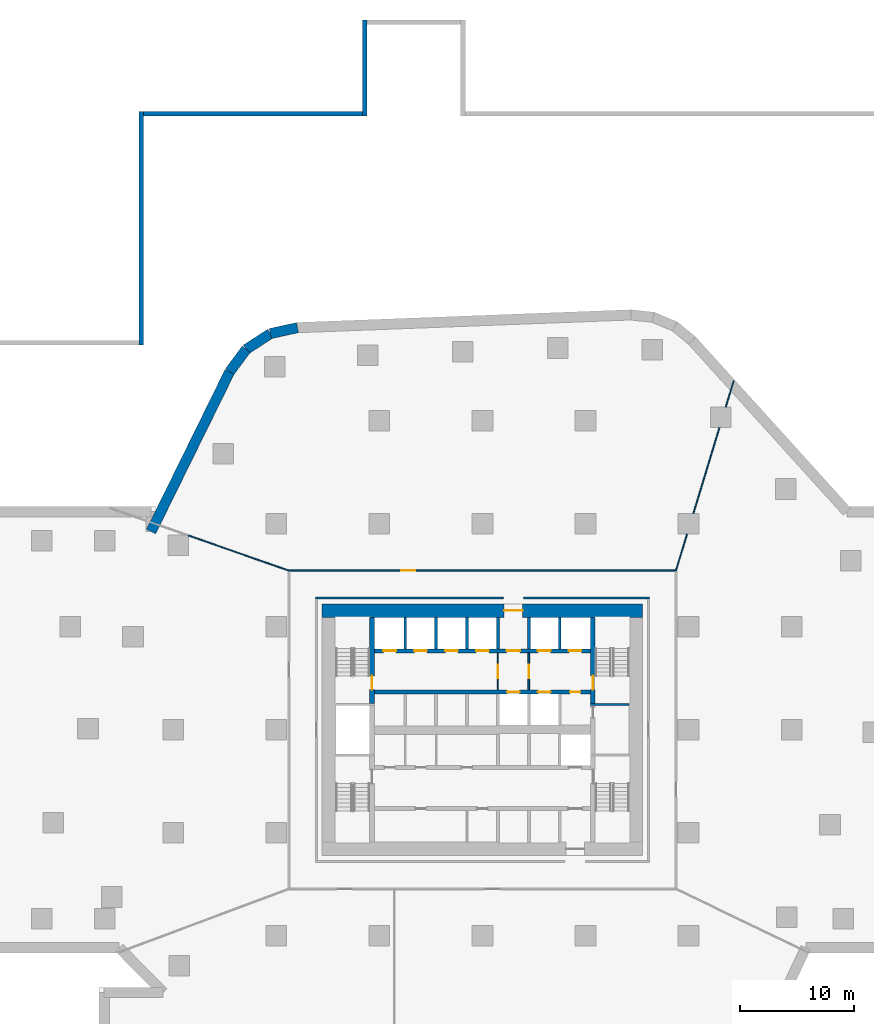
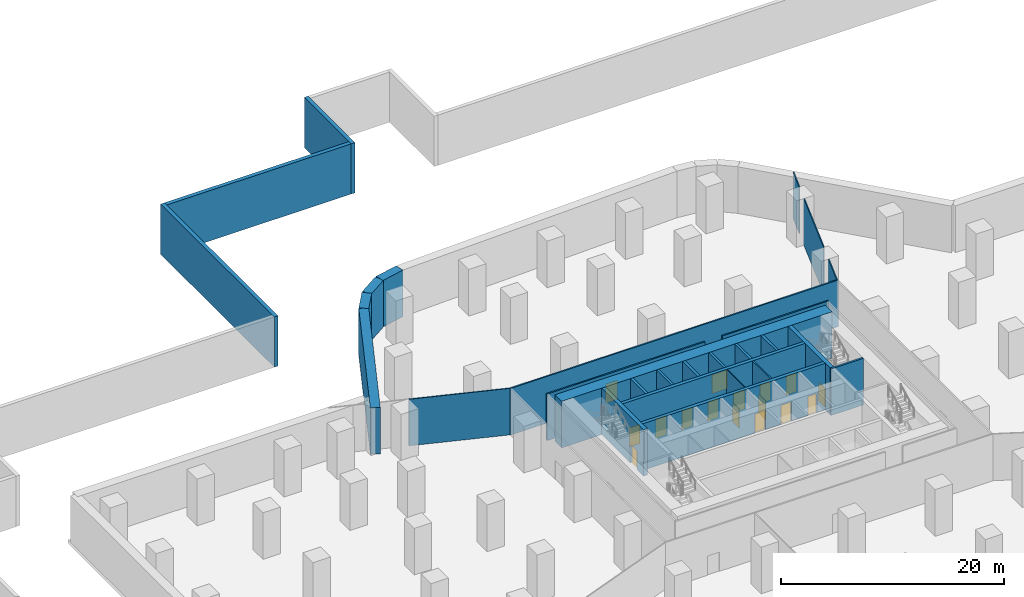
# One storey, part 6 of 9: 28 walls, 16 doors, 16 openings.
"""IFC4 building model written with IfcOpenShell, lengths in metres."""

from ifc_helpers import new_model, si_unit, direction, frame, frame_2d, origin, place, context, subcontext, project, spatial, rectangle, extrude, material, layer, layer_set, type_object, element, fill, save


model = new_model("IFC4")

# Units and contexts
model_context = context("Model", 3, precision=1e-05, world=origin(), true_north=direction((0.0, 1.0)))
body_context = subcontext(model_context, "Body", "Model", "MODEL_VIEW")
ifc_project = project(units=[si_unit("LENGTHUNIT", "METRE"), si_unit("AREAUNIT", "SQUARE_METRE"), si_unit("VOLUMEUNIT", "CUBIC_METRE"), si_unit("PLANEANGLEUNIT", "RADIAN"), si_unit("MASSUNIT", "GRAM", prefix="KILO")], contexts=[model_context])

# Site, building, storey
site_placement = place(None, origin())
site = spatial("IfcSite", under=ifc_project, at=site_placement, CompositionType="ELEMENT")
building_placement = place(site_placement, origin())
building = spatial("IfcBuilding", under=site, at=building_placement, Name="Dongbaek Canopy Tower", CompositionType="ELEMENT")
storey_placement = place(building_placement, frame((0.0, 0.0, -11.5)))
storey = spatial("IfcBuildingStorey", under=building, at=storey_placement, Name="B2", CompositionType="ELEMENT", Elevation=-11.5)

# Wall, openings, doors
ifc_material_1 = material(Name="Concrete C60/75", Category="concrete")
ifc_layer_1 = layer(ifc_material_1, 0.35009765625)
ifc_layer_set_1 = layer_set([ifc_layer_1], Name="Core lobby wall 350 Concrete C60/75")
wall_type_1 = type_object("IfcWallType", Name="Core lobby wall 350 Concrete C60/75", PredefinedType="SHEAR", material=ifc_layer_set_1)
wall_1_placement = place(storey_placement, frame((-9.449951171875, 6.89990234375, 0.0), z_axis=(0.0, 0.0, 1.0), x_axis=(1.0, 0.0, 0.0)))
wall_1 = element("IfcWall", 1, at=wall_1_placement, inside=storey, type_object=wall_type_1, Name="Core wall", PredefinedType="SHEAR", context=body_context, shape_type="SweptSolid", body=[
    extrude(rectangle(XDim=18.89990234375, YDim=0.35009765625, at=frame_2d((9.449951171875, 0.0))), origin(), (0.0, 0.0, 1.0), 5.10009765625),
])
opening_1_placement = place(wall_1_placement, frame((0.800048828125, 0.0, 0.0)))
opening_1 = element("IfcOpeningElement", 2, at=opening_1_placement, cuts=wall_1, Name="Opening B2-D009", PredefinedType="OPENING", context=body_context, shape_type="SweptSolid", body=[
    extrude(rectangle(XDim=1.10009765625, YDim=2.10009765625, at=frame_2d((0.550048828125, 1.050048828125))), frame((0.0, 0.18505859375, 0.0), z_axis=(0.0, -1.0, 0.0), x_axis=(1.0, 0.0, 0.0)), (0.0, 0.0, 1.0), 0.3701171875),
])
opening_2_placement = place(wall_1_placement, frame((3.5, 0.0, 0.0)))
opening_2 = element("IfcOpeningElement", 3, at=opening_2_placement, cuts=wall_1, Name="Opening B2-D010", PredefinedType="OPENING", context=body_context, shape_type="SweptSolid", body=[
    extrude(rectangle(XDim=1.10009765625, YDim=2.10009765625, at=frame_2d((0.550048828125, 1.050048828125))), frame((0.0, 0.18505859375, 0.0), z_axis=(0.0, -1.0, 0.0), x_axis=(1.0, 0.0, 0.0)), (0.0, 0.0, 1.0), 0.3701171875),
])
opening_3_placement = place(wall_1_placement, frame((6.199951171875, 0.0, 0.0)))
opening_3 = element("IfcOpeningElement", 4, at=opening_3_placement, cuts=wall_1, Name="Opening B2-D011", PredefinedType="OPENING", context=body_context, shape_type="SweptSolid", body=[
    extrude(rectangle(XDim=1.10009765625, YDim=2.10009765625, at=frame_2d((0.550048828125, 1.050048828125))), frame((0.0, 0.18505859375, 0.0), z_axis=(0.0, -1.0, 0.0), x_axis=(1.0, 0.0, 0.0)), (0.0, 0.0, 1.0), 0.3701171875),
])
opening_4_placement = place(wall_1_placement, frame((8.89990234375, 0.0, 0.0)))
opening_4 = element("IfcOpeningElement", 5, at=opening_4_placement, cuts=wall_1, Name="Opening B2-D012", PredefinedType="OPENING", context=body_context, shape_type="SweptSolid", body=[
    extrude(rectangle(XDim=1.10009765625, YDim=2.10009765625, at=frame_2d((0.550048828125, 1.050048828125))), frame((0.0, 0.18505859375, 0.0), z_axis=(0.0, -1.0, 0.0), x_axis=(1.0, 0.0, 0.0)), (0.0, 0.0, 1.0), 0.3701171875),
])
opening_5_placement = place(wall_1_placement, frame((11.550048828125, 0.0, 0.0)))
opening_5 = element("IfcOpeningElement", 6, at=opening_5_placement, cuts=wall_1, Name="Opening B2-D014", PredefinedType="OPENING", context=body_context, shape_type="SweptSolid", body=[
    extrude(rectangle(XDim=1.199951171875, YDim=2.10009765625, at=frame_2d((0.60009765625, 1.050048828125))), frame((0.0, 0.18505859375, 0.0), z_axis=(0.0, -1.0, 0.0), x_axis=(1.0, 0.0, 0.0)), (0.0, 0.0, 1.0), 0.3701171875),
])
opening_6_placement = place(wall_1_placement, frame((14.300048828125, 0.0, 0.0)))
opening_6 = element("IfcOpeningElement", 7, at=opening_6_placement, cuts=wall_1, Name="Opening B2-D015", PredefinedType="OPENING", context=body_context, shape_type="SweptSolid", body=[
    extrude(rectangle(XDim=1.10009765625, YDim=2.10009765625, at=frame_2d((0.550048828125, 1.050048828125))), frame((0.0, 0.18505859375, 0.0), z_axis=(0.0, -1.0, 0.0), x_axis=(1.0, 0.0, 0.0)), (0.0, 0.0, 1.0), 0.3701171875),
])
opening_7_placement = place(wall_1_placement, frame((17.0, 0.0, 0.0)))
opening_7 = element("IfcOpeningElement", 8, at=opening_7_placement, cuts=wall_1, Name="Opening B2-D016", PredefinedType="OPENING", context=body_context, shape_type="SweptSolid", body=[
    extrude(rectangle(XDim=1.10009765625, YDim=2.10009765625, at=frame_2d((0.550048828125, 1.050048828125))), frame((0.0, 0.18505859375, 0.0), z_axis=(0.0, -1.0, 0.0), x_axis=(1.0, 0.0, 0.0)), (0.0, 0.0, 1.0), 0.3701171875),
])
ifc_material_2 = material(Name="Steel", Category="steel")
door_type_1 = type_object("IfcDoorType", Name="Fire lobby door 1200 x 2100", OperationType="SINGLE_SWING_LEFT", PredefinedType="DOOR", material=ifc_material_2)
door_1_placement = place(opening_5_placement, origin())
door_1 = element("IfcDoor", 9, at=door_1_placement, inside=storey, type_object=door_type_1, Name="Door B2-D014", OperationType="SINGLE_SWING_LEFT", OverallHeight=2.10009765625, OverallWidth=1.199951171875, PredefinedType="DOOR", context=body_context, shape_type="SweptSolid", body=[
    extrude(rectangle(XDim=1.199951171875, YDim=2.10009765625, at=frame_2d((0.60009765625, 1.050048828125))), frame((0.0, 0.02490234375, 0.0), z_axis=(0.0, -1.0, 0.0), x_axis=(1.0, 0.0, 0.0)), (0.0, 0.0, 1.0), 0.050048828125),
])
fill(opening_5, door_1)
ifc_material_3 = material(Name="Stainless steel", Category="steel")
door_type_2 = type_object("IfcDoorType", Name="Lift landing door 1100 x 2100", OperationType="DOUBLE_DOOR_SLIDING", PredefinedType="DOOR", material=ifc_material_3)
door_2_placement = place(opening_1_placement, origin())
door_2 = element("IfcDoor", 10, at=door_2_placement, inside=storey, type_object=door_type_2, Name="Landing door LR1", OperationType="DOUBLE_DOOR_SLIDING", OverallHeight=2.10009765625, OverallWidth=1.10009765625, PredefinedType="DOOR", context=body_context, shape_type="SweptSolid", body=[
    extrude(rectangle(XDim=1.10009765625, YDim=2.10009765625, at=frame_2d((0.550048828125, 1.050048828125))), frame((0.0, 0.02490234375, 0.0), z_axis=(0.0, -1.0, 0.0), x_axis=(1.0, 0.0, 0.0)), (0.0, 0.0, 1.0), 0.050048828125),
])
fill(opening_1, door_2)
door_3_placement = place(opening_2_placement, origin())
door_3 = element("IfcDoor", 11, at=door_3_placement, inside=storey, type_object=door_type_2, Name="Landing door LR2", OperationType="DOUBLE_DOOR_SLIDING", OverallHeight=2.10009765625, OverallWidth=1.10009765625, PredefinedType="DOOR", context=body_context, shape_type="SweptSolid", body=[
    extrude(rectangle(XDim=1.10009765625, YDim=2.10009765625, at=frame_2d((0.550048828125, 1.050048828125))), frame((0.0, 0.02490234375, 0.0), z_axis=(0.0, -1.0, 0.0), x_axis=(1.0, 0.0, 0.0)), (0.0, 0.0, 1.0), 0.050048828125),
])
fill(opening_2, door_3)
door_4_placement = place(opening_3_placement, origin())
door_4 = element("IfcDoor", 12, at=door_4_placement, inside=storey, type_object=door_type_2, Name="Landing door LR3", OperationType="DOUBLE_DOOR_SLIDING", OverallHeight=2.10009765625, OverallWidth=1.10009765625, PredefinedType="DOOR", context=body_context, shape_type="SweptSolid", body=[
    extrude(rectangle(XDim=1.10009765625, YDim=2.10009765625, at=frame_2d((0.550048828125, 1.050048828125))), frame((0.0, 0.02490234375, 0.0), z_axis=(0.0, -1.0, 0.0), x_axis=(1.0, 0.0, 0.0)), (0.0, 0.0, 1.0), 0.050048828125),
])
fill(opening_3, door_4)
door_5_placement = place(opening_4_placement, origin())
door_5 = element("IfcDoor", 13, at=door_5_placement, inside=storey, type_object=door_type_2, Name="Landing door LR4", OperationType="DOUBLE_DOOR_SLIDING", OverallHeight=2.10009765625, OverallWidth=1.10009765625, PredefinedType="DOOR", context=body_context, shape_type="SweptSolid", body=[
    extrude(rectangle(XDim=1.10009765625, YDim=2.10009765625, at=frame_2d((0.550048828125, 1.050048828125))), frame((0.0, 0.02490234375, 0.0), z_axis=(0.0, -1.0, 0.0), x_axis=(1.0, 0.0, 0.0)), (0.0, 0.0, 1.0), 0.050048828125),
])
fill(opening_4, door_5)
door_6_placement = place(opening_6_placement, origin())
door_6 = element("IfcDoor", 14, at=door_6_placement, inside=storey, type_object=door_type_2, Name="Landing door FF1", OperationType="DOUBLE_DOOR_SLIDING", OverallHeight=2.10009765625, OverallWidth=1.10009765625, PredefinedType="DOOR", context=body_context, shape_type="SweptSolid", body=[
    extrude(rectangle(XDim=1.10009765625, YDim=2.10009765625, at=frame_2d((0.550048828125, 1.050048828125))), frame((0.0, 0.02490234375, 0.0), z_axis=(0.0, -1.0, 0.0), x_axis=(1.0, 0.0, 0.0)), (0.0, 0.0, 1.0), 0.050048828125),
])
fill(opening_6, door_6)
door_7_placement = place(opening_7_placement, origin())
door_7 = element("IfcDoor", 15, at=door_7_placement, inside=storey, type_object=door_type_2, Name="Landing door FF2", OperationType="DOUBLE_DOOR_SLIDING", OverallHeight=2.10009765625, OverallWidth=1.10009765625, PredefinedType="DOOR", context=body_context, shape_type="SweptSolid", body=[
    extrude(rectangle(XDim=1.10009765625, YDim=2.10009765625, at=frame_2d((0.550048828125, 1.050048828125))), frame((0.0, 0.02490234375, 0.0), z_axis=(0.0, -1.0, 0.0), x_axis=(1.0, 0.0, 0.0)), (0.0, 0.0, 1.0), 0.050048828125),
])
fill(opening_7, door_7)

wall_2_placement = place(storey_placement, frame((9.449951171875, 3.300048828125, 0.0), z_axis=(0.0, 0.0, 1.0), x_axis=(-1.0, 0.0, 0.0)))
wall_2 = element("IfcWall", 16, at=wall_2_placement, inside=storey, type_object=wall_type_1, Name="Core wall", PredefinedType="SHEAR", context=body_context, shape_type="SweptSolid", body=[
    extrude(rectangle(XDim=18.89990234375, YDim=0.35009765625, at=frame_2d((9.449951171875, 0.0))), origin(), (0.0, 0.0, 1.0), 5.10009765625),
])
opening_8_placement = place(wall_2_placement, frame((6.199951171875, 0.0, 0.0)))
opening_8 = element("IfcOpeningElement", 17, at=opening_8_placement, cuts=wall_2, Name="Opening B2-D017", PredefinedType="OPENING", context=body_context, shape_type="SweptSolid", body=[
    extrude(rectangle(XDim=1.10009765625, YDim=2.10009765625, at=frame_2d((0.550048828125, 1.050048828125))), frame((0.0, 0.18505859375, 0.0), z_axis=(0.0, -1.0, 0.0), x_axis=(1.0, 0.0, 0.0)), (0.0, 0.0, 1.0), 0.3701171875),
])
opening_9_placement = place(wall_2_placement, frame((3.5, 0.0, 0.0)))
opening_9 = element("IfcOpeningElement", 18, at=opening_9_placement, cuts=wall_2, Name="Opening B2-D018", PredefinedType="OPENING", context=body_context, shape_type="SweptSolid", body=[
    extrude(rectangle(XDim=1.10009765625, YDim=2.10009765625, at=frame_2d((0.550048828125, 1.050048828125))), frame((0.0, 0.18505859375, 0.0), z_axis=(0.0, -1.0, 0.0), x_axis=(1.0, 0.0, 0.0)), (0.0, 0.0, 1.0), 0.3701171875),
])
opening_10_placement = place(wall_2_placement, frame((0.89990234375, 0.0, 0.0)))
opening_10 = element("IfcOpeningElement", 19, at=opening_10_placement, cuts=wall_2, Name="Opening B2-D019", PredefinedType="OPENING", context=body_context, shape_type="SweptSolid", body=[
    extrude(rectangle(XDim=0.89990234375, YDim=2.10009765625, at=frame_2d((0.449951171875, 1.050048828125))), frame((0.0, 0.18505859375, 0.0), z_axis=(0.0, -1.0, 0.0), x_axis=(1.0, 0.0, 0.0)), (0.0, 0.0, 1.0), 0.3701171875),
])
ifc_material_4 = material(Name="Steel", Category="steel")
door_type_3 = type_object("IfcDoorType", Name="Core room door 900 x 2100", OperationType="SINGLE_SWING_LEFT", PredefinedType="DOOR", material=ifc_material_4)
door_8_placement = place(opening_10_placement, origin())
door_8 = element("IfcDoor", 20, at=door_8_placement, inside=storey, type_object=door_type_3, Name="Door B2-D019", OperationType="SINGLE_SWING_LEFT", OverallHeight=2.10009765625, OverallWidth=0.89990234375, PredefinedType="DOOR", context=body_context, shape_type="SweptSolid", body=[
    extrude(rectangle(XDim=0.89990234375, YDim=2.10009765625, at=frame_2d((0.449951171875, 1.050048828125))), frame((0.0, 0.02490234375, 0.0), z_axis=(0.0, -1.0, 0.0), x_axis=(1.0, 0.0, 0.0)), (0.0, 0.0, 1.0), 0.050048828125),
])
fill(opening_10, door_8)
door_9_placement = place(opening_8_placement, origin())
door_9 = element("IfcDoor", 21, at=door_9_placement, inside=storey, type_object=door_type_2, Name="Landing door SV1", OperationType="DOUBLE_DOOR_SLIDING", OverallHeight=2.10009765625, OverallWidth=1.10009765625, PredefinedType="DOOR", context=body_context, shape_type="SweptSolid", body=[
    extrude(rectangle(XDim=1.10009765625, YDim=2.10009765625, at=frame_2d((0.550048828125, 1.050048828125))), frame((0.0, 0.02490234375, 0.0), z_axis=(0.0, -1.0, 0.0), x_axis=(1.0, 0.0, 0.0)), (0.0, 0.0, 1.0), 0.050048828125),
])
fill(opening_8, door_9)
door_10_placement = place(opening_9_placement, origin())
door_10 = element("IfcDoor", 22, at=door_10_placement, inside=storey, type_object=door_type_2, Name="Landing door FF3", OperationType="DOUBLE_DOOR_SLIDING", OverallHeight=2.10009765625, OverallWidth=1.10009765625, PredefinedType="DOOR", context=body_context, shape_type="SweptSolid", body=[
    extrude(rectangle(XDim=1.10009765625, YDim=2.10009765625, at=frame_2d((0.550048828125, 1.050048828125))), frame((0.0, 0.02490234375, 0.0), z_axis=(0.0, -1.0, 0.0), x_axis=(1.0, 0.0, 0.0)), (0.0, 0.0, 1.0), 0.050048828125),
])
fill(opening_9, door_10)

# Wall, opening, door
ifc_material_5 = material(Name="Concrete C60/75", Category="concrete")
ifc_layer_2 = layer(ifc_material_5, 1.199951171875)
ifc_layer_set_2 = layer_set([ifc_layer_2], Name="Core outer wall 1200 Concrete C60/75")
wall_type_2 = type_object("IfcWallType", Name="Core outer wall 1200 Concrete C60/75", PredefinedType="SHEAR", material=ifc_layer_set_2)
wall_3_placement = place(storey_placement, frame((-14.0, 10.39990234375, 0.0), z_axis=(0.0, 0.0, 1.0), x_axis=(1.0, 0.0, 0.0)))
wall_3 = element("IfcWall", 23, at=wall_3_placement, inside=storey, type_object=wall_type_2, Name="Core wall", PredefinedType="SHEAR", context=body_context, shape_type="SweptSolid", body=[
    extrude(rectangle(XDim=28.0, YDim=1.199951171875, at=frame_2d((14.0, 0.0))), origin(), (0.0, 0.0, 1.0), 5.10009765625),
])
opening_11_placement = place(wall_3_placement, frame((15.89990234375, 0.0, 0.0)))
opening_11 = element("IfcOpeningElement", 24, at=opening_11_placement, cuts=wall_3, Name="Opening B2-D013", PredefinedType="OPENING", context=body_context, shape_type="SweptSolid", body=[
    extrude(rectangle(XDim=1.60009765625, YDim=2.10009765625, at=frame_2d((0.800048828125, 1.050048828125))), frame((0.0, 0.60986328125, 0.0), z_axis=(0.0, -1.0, 0.0), x_axis=(1.0, 0.0, 0.0)), (0.0, 0.0, 1.0), 1.219970703125),
])
ifc_material_6 = material(Name="Steel", Category="steel")
door_type_4 = type_object("IfcDoorType", Name="Core exit door 1600 x 2100", OperationType="DOUBLE_DOOR_SINGLE_SWING", PredefinedType="DOOR", material=ifc_material_6)
door_11_placement = place(opening_11_placement, origin())
door_11 = element("IfcDoor", 25, at=door_11_placement, inside=storey, type_object=door_type_4, Name="Core exit door", OperationType="DOUBLE_DOOR_SINGLE_SWING", OverallHeight=2.10009765625, OverallWidth=1.60009765625, PredefinedType="DOOR", context=body_context, shape_type="SweptSolid", body=[
    extrude(rectangle(XDim=1.60009765625, YDim=2.10009765625, at=frame_2d((0.800048828125, 1.050048828125))), frame((0.0, 0.02490234375, 0.0), z_axis=(0.0, -1.0, 0.0), x_axis=(1.0, 0.0, 0.0)), (0.0, 0.0, 1.0), 0.050048828125),
])
fill(opening_11, door_11)

# Walls
ifc_material_7 = material(Name="Gypsum board partition, steel stud, 2 x 15 mm fire board", Category="steel")
ifc_layer_3 = layer(ifc_material_7, 0.14990234375)
ifc_layer_set_3 = layer_set([ifc_layer_3], Name="Fire-rated partition 150 gypsum board")
wall_type_3 = type_object("IfcWallType", Name="Fire-rated partition 150 gypsum board", PredefinedType="PARTITIONING", material=ifc_layer_set_3)
wall_4_placement = place(storey_placement, frame((-14.574951171875, 11.5, 0.0), z_axis=(0.0, 0.0, 1.0), x_axis=(1.0, 0.0, 0.0)))
element("IfcWall", 26, at=wall_4_placement, inside=storey, type_object=wall_type_3, Name="Corridor partition", PredefinedType="PARTITIONING", context=body_context, shape_type="SweptSolid", body=[
    extrude(rectangle(XDim=16.375, YDim=0.14990234375, at=frame_2d((8.1875, 0.0))), origin(), (0.0, 0.0, 1.0), 5.10009765625),
])
wall_5_placement = place(storey_placement, frame((3.60009765625, 11.5, 0.0), z_axis=(0.0, 0.0, 1.0), x_axis=(1.0, 0.0, 0.0)))
element("IfcWall", 27, at=wall_5_placement, inside=storey, type_object=wall_type_3, Name="Corridor partition", PredefinedType="PARTITIONING", context=body_context, shape_type="SweptSolid", body=[
    extrude(rectangle(XDim=10.974853515625, YDim=0.14990234375, at=frame_2d((5.4873046875, 0.0))), origin(), (0.0, 0.0, 1.0), 5.10009765625),
])

# Wall, opening, door
wall_6_placement = place(storey_placement, frame((-16.97509765625, 13.89990234375, 0.0), z_axis=(0.0, 0.0, 1.0), x_axis=(1.0, 0.0, 0.0)))
wall_6 = element("IfcWall", 28, at=wall_6_placement, inside=storey, type_object=wall_type_3, Name="Corridor partition", PredefinedType="PARTITIONING", context=body_context, shape_type="SweptSolid", body=[
    extrude(rectangle(XDim=33.9501953125, YDim=0.14990234375, at=frame_2d((16.97509765625, 0.0))), origin(), (0.0, 0.0, 1.0), 5.10009765625),
])
opening_12_placement = place(wall_6_placement, frame((9.887451171875, 0.0, 0.0)))
opening_12 = element("IfcOpeningElement", 29, at=opening_12_placement, cuts=wall_6, Name="Opening B2-D005", PredefinedType="OPENING", context=body_context, shape_type="SweptSolid", body=[
    extrude(rectangle(XDim=1.199951171875, YDim=2.10009765625, at=frame_2d((0.60009765625, 1.050048828125))), frame((0.0, 0.0849609375, 0.0), z_axis=(0.0, -1.0, 0.0), x_axis=(1.0, 0.0, 0.0)), (0.0, 0.0, 1.0), 0.169921875),
])
ifc_material_8 = material(Name="Timber veneered door leaf", Category="wood")
door_type_5 = type_object("IfcDoorType", Name="Room door 1200 x 2100", OperationType="SINGLE_SWING_LEFT", PredefinedType="DOOR", material=ifc_material_8)
door_12_placement = place(opening_12_placement, origin())
door_12 = element("IfcDoor", 30, at=door_12_placement, inside=storey, type_object=door_type_5, Name="Door B2-D005", OperationType="SINGLE_SWING_RIGHT", OverallHeight=2.10009765625, OverallWidth=1.199951171875, PredefinedType="DOOR", context=body_context, shape_type="SweptSolid", body=[
    extrude(rectangle(XDim=1.199951171875, YDim=2.10009765625, at=frame_2d((0.60009765625, 1.050048828125))), frame((0.0, 0.02490234375, 0.0), z_axis=(0.0, -1.0, 0.0), x_axis=(1.0, 0.0, 0.0)), (0.0, 0.0, 1.0), 0.050048828125),
])
fill(opening_12, door_12)

wall_7_placement = place(storey_placement, frame((4.050048828125, 6.72509765625, 0.0), z_axis=(0.0, 0.0, 1.0), x_axis=(0.0, -1.0, 0.0)))
wall_7 = element("IfcWall", 31, at=wall_7_placement, inside=storey, type_object=wall_type_3, Name="Fire lobby partition", PredefinedType="PARTITIONING", context=body_context, shape_type="SweptSolid", body=[
    extrude(rectangle(XDim=3.25, YDim=0.14990234375, at=frame_2d((1.625, 0.0))), origin(), (0.0, 0.0, 1.0), 5.10009765625),
])
opening_13_placement = place(wall_7_placement, frame((1.02490234375, 0.0, 0.0)))
opening_13 = element("IfcOpeningElement", 32, at=opening_13_placement, cuts=wall_7, Name="Opening B2-D033", PredefinedType="OPENING", context=body_context, shape_type="SweptSolid", body=[
    extrude(rectangle(XDim=1.199951171875, YDim=2.10009765625, at=frame_2d((0.60009765625, 1.050048828125))), frame((0.0, 0.0849609375, 0.0), z_axis=(0.0, -1.0, 0.0), x_axis=(1.0, 0.0, 0.0)), (0.0, 0.0, 1.0), 0.169921875),
])
door_13_placement = place(opening_13_placement, origin())
door_13 = element("IfcDoor", 33, at=door_13_placement, inside=storey, type_object=door_type_1, Name="Door B2-D033", OperationType="SINGLE_SWING_RIGHT", OverallHeight=2.10009765625, OverallWidth=1.199951171875, PredefinedType="DOOR", context=body_context, shape_type="SweptSolid", body=[
    extrude(rectangle(XDim=1.199951171875, YDim=2.10009765625, at=frame_2d((0.60009765625, 1.050048828125))), frame((0.0, 0.02490234375, 0.0), z_axis=(0.0, -1.0, 0.0), x_axis=(1.0, 0.0, 0.0)), (0.0, 0.0, 1.0), 0.050048828125),
])
fill(opening_13, door_13)

# Walls
ifc_material_9 = material(Name="Concrete C40/50", Category="concrete")
ifc_layer_4 = layer(ifc_material_9, 0.25)
ifc_layer_set_4 = layer_set([ifc_layer_4], Name="Lift shaft wall 250 Concrete C40/50")
wall_type_4 = type_object("IfcWallType", Name="Lift shaft wall 250 Concrete C40/50", PredefinedType="SOLIDWALL", material=ifc_layer_set_4)
for number, where, z_axis, x_axis, name in (
    (34, (6.75, 7.074951171875, 0.0), (0.0, 0.0, 1.0), (0.0, 1.0, 0.0), "Lift shaft wall"),
    (35, (4.050048828125, 7.074951171875, 0.0), (0.0, 0.0, 1.0), (0.0, 1.0, 0.0), "Lift shaft wall"),
    (36, (1.35009765625, 7.074951171875, 0.0), (0.0, 0.0, 1.0), (0.0, 1.0, 0.0), "Lift shaft wall"),
    (37, (-1.35009765625, 7.074951171875, 0.0), (0.0, 0.0, 1.0), (0.0, 1.0, 0.0), "Lift shaft wall"),
    (38, (-4.050048828125, 7.074951171875, 0.0), (0.0, 0.0, 1.0), (0.0, 1.0, 0.0), "Lift shaft wall"),
    (39, (-6.75, 7.074951171875, 0.0), (0.0, 0.0, 1.0), (0.0, 1.0, 0.0), "Lift shaft wall"),
):
    element("IfcWall", number, at=place(storey_placement, frame(where, z_axis=z_axis, x_axis=x_axis)), inside=storey, type_object=wall_type_4, Name=name, PredefinedType="SOLIDWALL", context=body_context, shape_type="SweptSolid", body=[
        extrude(rectangle(XDim=2.72509765625, YDim=0.25, at=frame_2d((1.362548828125, 0.0))), origin(), (0.0, 0.0, 1.0), 5.10009765625),
    ])
ifc_material_10 = material(Name="Gypsum board partition, steel stud, 2 x 12.5 mm board", Category="steel")
ifc_layer_5 = layer(ifc_material_10, 0.10009765625)
ifc_layer_set_5 = layer_set([ifc_layer_5], Name="Partition 100 gypsum board")
wall_type_5 = type_object("IfcWallType", Name="Partition 100 gypsum board", PredefinedType="PARTITIONING", material=ifc_layer_set_5)
wall_8_placement = place(storey_placement, frame((16.900146484375, 13.89990234375, 0.0), z_axis=(0.0, 0.0, 1.0), x_axis=(0.291202273884, 0.95666150528, 0.0)))
element("IfcWall", 40, at=wall_8_placement, inside=storey, type_object=wall_type_5, Name="Partition", PredefinedType="PARTITIONING", context=body_context, shape_type="SweptSolid", body=[
    extrude(rectangle(XDim=3.34521484375, YDim=0.10009765625, at=frame_2d((1.672607421875, 0.0))), origin(), (0.0, 0.0, 1.0), 5.10009765625),
])
wall_9_placement = place(storey_placement, frame((18.422119140625, 18.89990234375, 0.0), z_axis=(0.0, 0.0, 1.0), x_axis=(0.291192607523, 0.956664447611, 0.0)))
element("IfcWall", 41, at=wall_9_placement, inside=storey, type_object=wall_type_5, Name="Partition", PredefinedType="PARTITIONING", context=body_context, shape_type="SweptSolid", body=[
    extrude(rectangle(XDim=7.836669921875, YDim=0.10009765625, at=frame_2d((3.91845703125, 0.0))), origin(), (0.0, 0.0, 1.0), 5.10009765625),
])
wall_10_placement = place(storey_placement, frame((21.252197265625, 28.197021484375, 0.0), z_axis=(0.0, 0.0, 1.0), x_axis=(0.291210561393, 0.956658982571, 0.0)))
element("IfcWall", 42, at=wall_10_placement, inside=storey, type_object=wall_type_5, Name="Partition", PredefinedType="PARTITIONING", context=body_context, shape_type="SweptSolid", body=[
    extrude(rectangle(XDim=2.3818359375, YDim=0.10009765625, at=frame_2d((1.19091796875, 0.0))), origin(), (0.0, 0.0, 1.0), 5.10009765625),
])
wall_11_placement = place(storey_placement, frame((-25.68603515625, 16.969482421875, 0.0), z_axis=(0.0, 0.0, 1.0), x_axis=(0.944025503462, -0.329872473561, 0.0)))
element("IfcWall", 43, at=wall_11_placement, inside=storey, type_object=wall_type_5, Name="Partition", PredefinedType="PARTITIONING", context=body_context, shape_type="SweptSolid", body=[
    extrude(rectangle(XDim=9.306884765625, YDim=0.10009765625, at=frame_2d((4.6533203125, 0.0))), origin(), (0.0, 0.0, 1.0), 5.10009765625),
])

# Wall, opening, door
wall_12_placement = place(storey_placement, frame((1.35009765625, 6.72509765625, 0.0), z_axis=(0.0, 0.0, 1.0), x_axis=(0.0, -1.0, 0.0)))
wall_12 = element("IfcWall", 44, at=wall_12_placement, inside=storey, type_object=wall_type_5, Name="Core partition", PredefinedType="PARTITIONING", context=body_context, shape_type="SweptSolid", body=[
    extrude(rectangle(XDim=3.25, YDim=0.10009765625, at=frame_2d((1.625, 0.0))), origin(), (0.0, 0.0, 1.0), 5.10009765625),
])
opening_14_placement = place(wall_12_placement, frame((1.02490234375, 0.0, 0.0)))
opening_14 = element("IfcOpeningElement", 45, at=opening_14_placement, cuts=wall_12, Name="Opening B2-D032", PredefinedType="OPENING", context=body_context, shape_type="SweptSolid", body=[
    extrude(rectangle(XDim=1.199951171875, YDim=2.10009765625, at=frame_2d((0.60009765625, 1.050048828125))), frame((0.0, 0.06005859375, 0.0), z_axis=(0.0, -1.0, 0.0), x_axis=(1.0, 0.0, 0.0)), (0.0, 0.0, 1.0), 0.1201171875),
])
door_14_placement = place(opening_14_placement, origin())
door_14 = element("IfcDoor", 46, at=door_14_placement, inside=storey, type_object=door_type_1, Name="Door B2-D032", OperationType="SINGLE_SWING_LEFT", OverallHeight=2.10009765625, OverallWidth=1.199951171875, PredefinedType="DOOR", context=body_context, shape_type="SweptSolid", body=[
    extrude(rectangle(XDim=1.199951171875, YDim=2.10009765625, at=frame_2d((0.60009765625, 1.050048828125))), frame((0.0, 0.02490234375, 0.0), z_axis=(0.0, -1.0, 0.0), x_axis=(1.0, 0.0, 0.0)), (0.0, 0.0, 1.0), 0.050048828125),
])
fill(opening_14, door_14)

# Walls
ifc_material_11 = material(Name="Concrete C40/50", Category="concrete")
ifc_layer_6 = layer(ifc_material_11, 0.39990234375)
ifc_layer_set_6 = layer_set([ifc_layer_6], Name="Plaza plinth wall 400")
wall_type_6 = type_object("IfcWallType", Name="Plaza plinth wall 400", PredefinedType="SOLIDWALL", material=ifc_layer_set_6)
wall_13_placement = place(storey_placement, frame((-29.800048828125, 33.60009765625, 0.0), z_axis=(0.0, 0.0, 1.0), x_axis=(0.0, 1.0, 0.0)))
element("IfcWall", 47, at=wall_13_placement, inside=storey, type_object=wall_type_6, Name="Plaza plinth wall 47", PredefinedType="SOLIDWALL", context=body_context, shape_type="SweptSolid", body=[
    extrude(rectangle(XDim=20.39990234375, YDim=0.39990234375, at=frame_2d((10.199951171875, 0.0))), origin(), (0.0, 0.0, 1.0), 5.5),
])
wall_14_placement = place(storey_placement, frame((-29.60009765625, 53.800048828125, 0.0), z_axis=(0.0, 0.0, 1.0), x_axis=(1.0, 0.0, 0.0)))
element("IfcWall", 48, at=wall_14_placement, inside=storey, type_object=wall_type_6, Name="Plaza plinth wall 48", PredefinedType="SOLIDWALL", context=body_context, shape_type="SweptSolid", body=[
    extrude(rectangle(XDim=19.10009765625, YDim=0.39990234375, at=frame_2d((9.550048828125, 0.0))), origin(), (0.0, 0.0, 1.0), 5.5),
])
wall_15_placement = place(storey_placement, frame((-10.300048828125, 53.60009765625, 0.0), z_axis=(0.0, 0.0, 1.0), x_axis=(0.0, 1.0, 0.0)))
element("IfcWall", 49, at=wall_15_placement, inside=storey, type_object=wall_type_6, Name="Plaza plinth wall 50", PredefinedType="SOLIDWALL", context=body_context, shape_type="SweptSolid", body=[
    extrude(rectangle(XDim=8.39990234375, YDim=0.39990234375, at=frame_2d((4.199951171875, 0.0))), origin(), (0.0, 0.0, 1.0), 5.5),
])
ifc_material_12 = material(Name="Concrete C40", Category="concrete")
ifc_layer_7 = layer(ifc_material_12, 0.89990234375)
ifc_layer_set_7 = layer_set([ifc_layer_7], Name="RC RETAINING WALL 900 Concrete C40")
wall_type_7 = type_object("IfcWallType", Name="RC RETAINING WALL 900 Concrete C40", PredefinedType="SHEAR", material=ifc_layer_set_7)
wall_16_placement = place(storey_placement, frame((-28.949951171875, 17.31689453125, 0.0), z_axis=(0.0, 0.0, 1.0), x_axis=(0.441350917098, 0.897334590873, 0.0)))
element("IfcWall", 50, at=wall_16_placement, inside=storey, type_object=wall_type_7, Name="RWALL:B2:07", PredefinedType="SHEAR", context=body_context, shape_type="SweptSolid", body=[
    extrude(rectangle(XDim=15.566650390625, YDim=0.89990234375, at=frame_2d((7.783203125, 0.0))), origin(), (0.0, 0.0, 1.0), 5.10009765625),
])
wall_17_placement = place(storey_placement, frame((-22.07958984375, 31.285400390625, 0.0), z_axis=(0.0, 0.0, 1.0), x_axis=(0.594215473741, 0.804305893779, 0.0)))
element("IfcWall", 51, at=wall_17_placement, inside=storey, type_object=wall_type_7, Name="RWALL:B2:08", PredefinedType="SHEAR", context=body_context, shape_type="SweptSolid", body=[
    extrude(rectangle(XDim=2.424072265625, YDim=0.89990234375, at=frame_2d((1.2119140625, 0.0))), origin(), (0.0, 0.0, 1.0), 5.10009765625),
])
wall_18_placement = place(storey_placement, frame((-20.63916015625, 33.235107421875, 0.0), z_axis=(0.0, 0.0, 1.0), x_axis=(0.838638354795, 0.544688635705, 0.0)))
element("IfcWall", 52, at=wall_18_placement, inside=storey, type_object=wall_type_7, Name="RWALL:B2:09", PredefinedType="SHEAR", context=body_context, shape_type="SweptSolid", body=[
    extrude(rectangle(XDim=2.519775390625, YDim=0.89990234375, at=frame_2d((1.259765625, 0.0))), origin(), (0.0, 0.0, 1.0), 5.10009765625),
])
wall_19_placement = place(storey_placement, frame((-18.52587890625, 34.607666015625, 0.0), z_axis=(0.0, 0.0, 1.0), x_axis=(0.976451748541, 0.215735909786, 0.0)))
element("IfcWall", 53, at=wall_19_placement, inside=storey, type_object=wall_type_7, Name="RWALL:B2:10", PredefinedType="SHEAR", context=body_context, shape_type="SweptSolid", body=[
    extrude(rectangle(XDim=2.424072265625, YDim=0.89990234375, at=frame_2d((1.2119140625, 0.0))), origin(), (0.0, 0.0, 1.0), 5.10009765625),
])
ifc_material_13 = material(Name="Concrete C60/75", Category="concrete")
ifc_layer_8 = layer(ifc_material_13, 0.199951171875)
ifc_layer_set_8 = layer_set([ifc_layer_8], Name="Riser wall 200 Concrete C60/75")
wall_type_8 = type_object("IfcWallType", Name="Riser wall 200 Concrete C60/75", PredefinedType="SHEAR", material=ifc_layer_set_8)
wall_20_placement = place(storey_placement, frame((9.449951171875, 2.199951171875, 0.0), z_axis=(0.0, 0.0, 1.0), x_axis=(1.0, 0.0, 0.0)))
element("IfcWall", 54, at=wall_20_placement, inside=storey, type_object=wall_type_8, Name="Riser wall", PredefinedType="SHEAR", context=body_context, shape_type="SweptSolid", body=[
    extrude(rectangle(XDim=3.35009765625, YDim=0.199951171875, at=frame_2d((1.675048828125, 0.0))), origin(), (0.0, 0.0, 1.0), 5.10009765625),
])

# Wall, opening, door
ifc_material_14 = material(Name="Concrete C60/75", Category="concrete")
ifc_layer_9 = layer(ifc_material_14, 0.39990234375)
ifc_layer_set_9 = layer_set([ifc_layer_9], Name="Stair wall 400 Concrete C60/75")
wall_type_9 = type_object("IfcWallType", Name="Stair wall 400 Concrete C60/75", PredefinedType="SHEAR", material=ifc_layer_set_9)
wall_21_placement = place(storey_placement, frame((9.64990234375, 9.800048828125, 0.0), z_axis=(0.0, 0.0, 1.0), x_axis=(0.0, -1.0, 0.0)))
wall_21 = element("IfcWall", 55, at=wall_21_placement, inside=storey, type_object=wall_type_9, Name="Stair wall", PredefinedType="SHEAR", context=body_context, shape_type="SweptSolid", body=[
    extrude(rectangle(XDim=7.5, YDim=0.39990234375, at=frame_2d((3.75, 0.0))), origin(), (0.0, 0.0, 1.0), 5.10009765625),
])
opening_15_placement = place(wall_21_placement, frame((5.10009765625, 0.0, 0.0)))
opening_15 = element("IfcOpeningElement", 56, at=opening_15_placement, cuts=wall_21, Name="Opening B2-D028", PredefinedType="OPENING", context=body_context, shape_type="SweptSolid", body=[
    extrude(rectangle(XDim=1.199951171875, YDim=2.10009765625, at=frame_2d((0.60009765625, 1.050048828125))), frame((0.0, 0.2099609375, 0.0), z_axis=(0.0, -1.0, 0.0), x_axis=(1.0, 0.0, 0.0)), (0.0, 0.0, 1.0), 0.419921875),
])
ifc_material_15 = material(Name="Steel", Category="steel")
door_type_6 = type_object("IfcDoorType", Name="Stair door 1200 x 2100", OperationType="SINGLE_SWING_LEFT", PredefinedType="DOOR", material=ifc_material_15)
door_15_placement = place(opening_15_placement, origin())
door_15 = element("IfcDoor", 57, at=door_15_placement, inside=storey, type_object=door_type_6, Name="Stair A door", OperationType="SINGLE_SWING_LEFT", OverallHeight=2.10009765625, OverallWidth=1.199951171875, PredefinedType="DOOR", context=body_context, shape_type="SweptSolid", body=[
    extrude(rectangle(XDim=1.199951171875, YDim=2.10009765625, at=frame_2d((0.60009765625, 1.050048828125))), frame((0.0, 0.02490234375, 0.0), z_axis=(0.0, -1.0, 0.0), x_axis=(1.0, 0.0, 0.0)), (0.0, 0.0, 1.0), 0.050048828125),
])
fill(opening_15, door_15)

wall_22_placement = place(storey_placement, frame((-9.64990234375, 2.300048828125, 0.0), z_axis=(0.0, 0.0, 1.0), x_axis=(0.0, 1.0, 0.0)))
wall_22 = element("IfcWall", 58, at=wall_22_placement, inside=storey, type_object=wall_type_9, Name="Stair wall", PredefinedType="SHEAR", context=body_context, shape_type="SweptSolid", body=[
    extrude(rectangle(XDim=7.5, YDim=0.39990234375, at=frame_2d((3.75, 0.0))), origin(), (0.0, 0.0, 1.0), 5.10009765625),
])
opening_16_placement = place(wall_22_placement, frame((1.199951171875, 0.0, 0.0)))
opening_16 = element("IfcOpeningElement", 59, at=opening_16_placement, cuts=wall_22, Name="Opening B2-D029", PredefinedType="OPENING", context=body_context, shape_type="SweptSolid", body=[
    extrude(rectangle(XDim=1.199951171875, YDim=2.10009765625, at=frame_2d((0.60009765625, 1.050048828125))), frame((0.0, 0.2099609375, 0.0), z_axis=(0.0, -1.0, 0.0), x_axis=(1.0, 0.0, 0.0)), (0.0, 0.0, 1.0), 0.419921875),
])
door_16_placement = place(opening_16_placement, origin())
door_16 = element("IfcDoor", 60, at=door_16_placement, inside=storey, type_object=door_type_6, Name="Stair C door", OperationType="SINGLE_SWING_RIGHT", OverallHeight=2.10009765625, OverallWidth=1.199951171875, PredefinedType="DOOR", context=body_context, shape_type="SweptSolid", body=[
    extrude(rectangle(XDim=1.199951171875, YDim=2.10009765625, at=frame_2d((0.60009765625, 1.050048828125))), frame((0.0, 0.02490234375, 0.0), z_axis=(0.0, -1.0, 0.0), x_axis=(1.0, 0.0, 0.0)), (0.0, 0.0, 1.0), 0.050048828125),
])
fill(opening_16, door_16)

save(model, "model.ifc")
